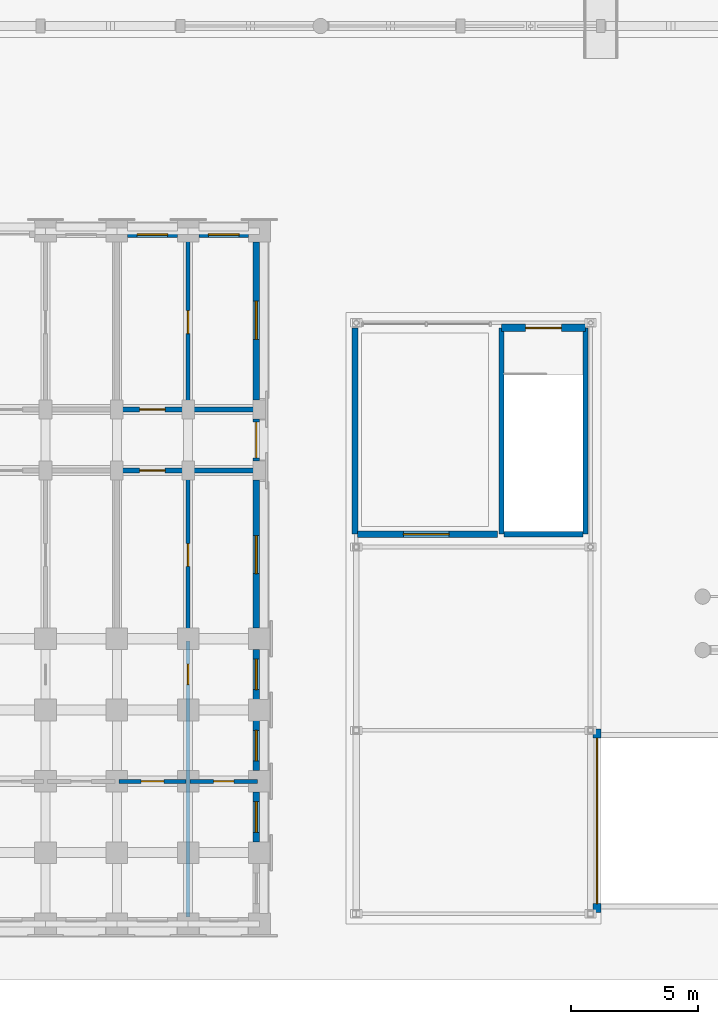
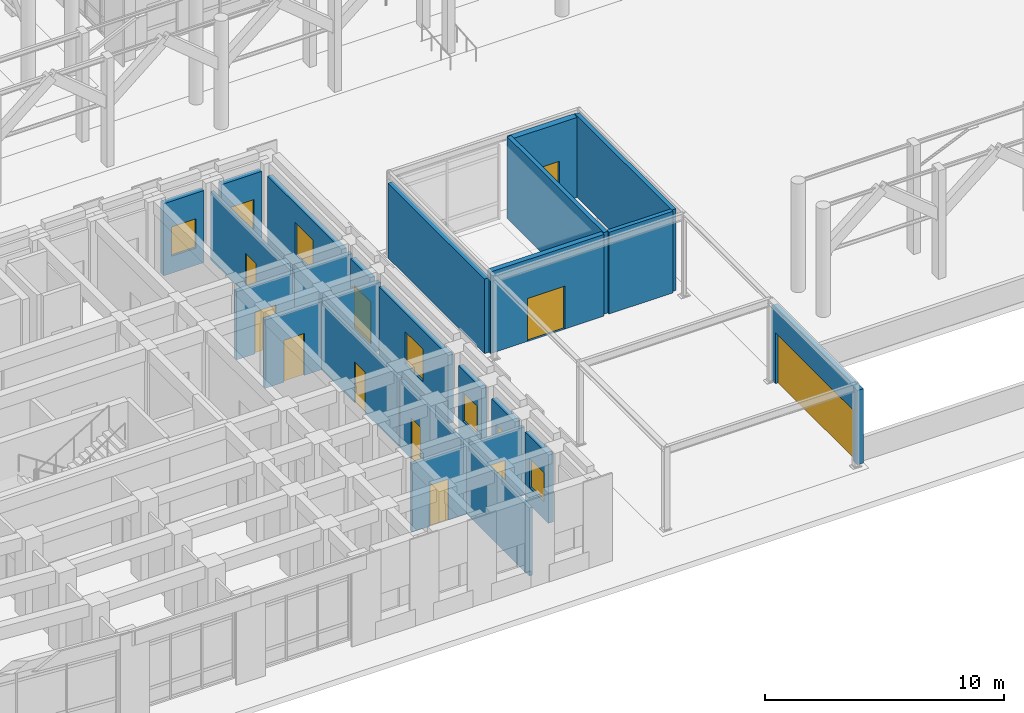
# One storey, part 94 of 135: 24 walls, 11 doors, 7 windows, 18 openings.
"""IFC4 building model written with IfcOpenShell, lengths in metres."""

from ifc_helpers import new_model, si_unit, direction, frame, frame_2d, origin, place, context, subcontext, project, spatial, rectangle, extrude, material, layer, layer_set, type_object, element, fill, save


model = new_model("IFC4")

# Units and contexts
model_context = context("Model", 3, precision=1e-05, world=origin(), true_north=direction((0.0, 1.0)))
body_context = subcontext(model_context, "Body", "Model", "MODEL_VIEW")
ifc_project = project(units=[si_unit("LENGTHUNIT", "METRE"), si_unit("AREAUNIT", "SQUARE_METRE"), si_unit("VOLUMEUNIT", "CUBIC_METRE"), si_unit("PLANEANGLEUNIT", "RADIAN"), si_unit("MASSUNIT", "GRAM", prefix="KILO")], contexts=[model_context])

# Site, building, storey
site_placement = place(None, origin())
site = spatial("IfcSite", under=ifc_project, at=site_placement, CompositionType="ELEMENT")
building_placement = place(site_placement, origin())
building = spatial("IfcBuilding", under=site, at=building_placement, Name="Kiranvali Square Residences", CompositionType="ELEMENT")
storey_placement = place(building_placement, origin())
storey = spatial("IfcBuildingStorey", under=building, at=storey_placement, Name="L00", CompositionType="ELEMENT", Elevation=0.0)

# Wall, opening, door
ifc_material_1 = material(Name="Autoclaved aerated concrete blockwork masonry", Category="masonry")
ifc_layer_1 = layer(ifc_material_1, 0.199951171875)
ifc_layer_set_1 = layer_set([ifc_layer_1], Name="Autoclaved aerated concrete blockwork masonry")
wall_type_1 = type_object("IfcWallType", Name="WL-COR-200", PredefinedType="STANDARD", material=ifc_layer_set_1)
wall_1_placement = place(storey_placement, frame((65.0, 22.39990234375, 0.0), z_axis=(0.0, 0.0, 1.0), x_axis=(1.0, 0.0, 0.0)))
wall_1 = element("IfcWall", 1, at=wall_1_placement, inside=storey, type_object=wall_type_1, Name="L00 architectural wall WL-L00-C-A1CI-2", PredefinedType="STANDARD", context=body_context, shape_type="SweptSolid", body=[
    extrude(rectangle(XDim=2.800048828125, YDim=0.199951171875, at=frame_2d((1.39990234375, 0.0))), origin(), (0.0, 0.0, 1.0), 3.491943359375),
])
opening_1_placement = place(wall_1_placement, frame((0.89990234375, 0.0, 0.0)))
opening_1 = element("IfcOpeningElement", 2, at=opening_1_placement, cuts=wall_1, Name="Opening FD-APT-60", PredefinedType="OPENING", context=body_context, shape_type="SweptSolid", body=[
    extrude(rectangle(XDim=1.0, YDim=2.14990234375, at=frame_2d((0.5, 1.074951171875))), frame((0.0, 0.10986328125, 0.0), z_axis=(0.0, -1.0, 0.0), x_axis=(1.0, 0.0, 0.0)), (0.0, 0.0, 1.0), 0.219970703125),
])
ifc_material_2 = material(Name="Fire-rated acoustic hardwood and mineral-core door assembly", Category="wood")
door_type_1 = type_object("IfcDoorType", Name="DR-APT-1000", OperationType="NOTDEFINED", PredefinedType="DOOR", material=ifc_material_2)
door_1_placement = place(opening_1_placement, frame((1.0, 0.0, 0.0), z_axis=(0.0, 0.0, 1.0), x_axis=(-1.0, 0.0, 0.0)))
door_1 = element("IfcDoor", 3, at=door_1_placement, inside=storey, type_object=door_type_1, Name="L00 door DR-L00-1752 (DR-APT-1000)", OperationType="SINGLE_SWING_RIGHT", OverallHeight=2.14990234375, OverallWidth=1.0, PredefinedType="DOOR", context=body_context, shape_type="SweptSolid", body=[
    extrude(rectangle(XDim=1.0, YDim=2.14990234375, at=frame_2d((0.5, 1.074951171875))), frame((0.0, 0.02490234375, 0.0), z_axis=(0.0, -1.0, 0.0), x_axis=(1.0, 0.0, 0.0)), (0.0, 0.0, 1.0), 0.050048828125),
])
fill(opening_1, door_1)

wall_2_placement = place(storey_placement, frame((65.0, 20.0, 0.0), z_axis=(0.0, 0.0, 1.0), x_axis=(1.0, 0.0, 0.0)))
wall_2 = element("IfcWall", 4, at=wall_2_placement, inside=storey, type_object=wall_type_1, Name="L00 architectural wall WL-L00-C-A1CO-2", PredefinedType="STANDARD", context=body_context, shape_type="SweptSolid", body=[
    extrude(rectangle(XDim=2.800048828125, YDim=0.199951171875, at=frame_2d((1.39990234375, 0.0))), origin(), (0.0, 0.0, 1.0), 3.491943359375),
])
opening_2_placement = place(wall_2_placement, frame((0.89990234375, 0.0, 0.0)))
opening_2 = element("IfcOpeningElement", 5, at=opening_2_placement, cuts=wall_2, Name="Opening FD-APT-60", PredefinedType="OPENING", context=body_context, shape_type="SweptSolid", body=[
    extrude(rectangle(XDim=1.0, YDim=2.14990234375, at=frame_2d((0.5, 1.074951171875))), frame((0.0, 0.10986328125, 0.0), z_axis=(0.0, -1.0, 0.0), x_axis=(1.0, 0.0, 0.0)), (0.0, 0.0, 1.0), 0.219970703125),
])
door_2_placement = place(opening_2_placement, frame((1.0, 0.0, 0.0), z_axis=(0.0, 0.0, 1.0), x_axis=(-1.0, 0.0, 0.0)))
door_2 = element("IfcDoor", 6, at=door_2_placement, inside=storey, type_object=door_type_1, Name="L00 door DR-L00-1754 (DR-APT-1000)", OperationType="SINGLE_SWING_RIGHT", OverallHeight=2.14990234375, OverallWidth=1.0, PredefinedType="DOOR", context=body_context, shape_type="SweptSolid", body=[
    extrude(rectangle(XDim=1.0, YDim=2.14990234375, at=frame_2d((0.5, 1.074951171875))), frame((0.0, 0.02490234375, 0.0), z_axis=(0.0, -1.0, 0.0), x_axis=(1.0, 0.0, 0.0)), (0.0, 0.0, 1.0), 0.050048828125),
])
fill(opening_2, door_2)

# Walls
for number, where, z_axis, x_axis, name in (
    (7, (67.800048828125, 22.39990234375, 0.0), (0.0, 0.0, 1.0), (1.0, 0.0, 0.0), "L00 architectural wall WL-L00-C-A1CI-3"),
    (8, (67.800048828125, 20.0, 0.0), (0.0, 0.0, 1.0), (1.0, 0.0, 0.0), "L00 architectural wall WL-L00-C-A1CO-3"),
):
    element("IfcWall", number, at=place(storey_placement, frame(where, z_axis=z_axis, x_axis=x_axis)), inside=storey, type_object=wall_type_1, Name=name, PredefinedType="STANDARD", context=body_context, shape_type="SweptSolid", body=[
        extrude(rectangle(XDim=2.800048828125, YDim=0.199951171875, at=frame_2d((1.39990234375, 0.0))), origin(), (0.0, 0.0, 1.0), 3.491943359375),
    ])
ifc_material_3 = material(Name="Breathable lime-rendered clay brick masonry", Category="masonry")
ifc_layer_2 = layer(ifc_material_3, 0.25)
ifc_layer_set_2 = layer_set([ifc_layer_2], Name="Breathable lime-rendered clay brick masonry")
wall_type_2 = type_object("IfcWallType", Name="WL-EXT-250", PredefinedType="STANDARD", material=ifc_layer_set_2)
wall_3_placement = place(storey_placement, frame((74.35009765625, 17.5, 0.0), z_axis=(0.0, 0.0, 1.0), x_axis=(0.0, 1.0, 0.0)))
element("IfcWall", 9, at=wall_3_placement, inside=storey, type_object=wall_type_2, Name="L00 architectural wall WL-L00-KSKS-W", PredefinedType="STANDARD", context=body_context, shape_type="SweptSolid", body=[
    extrude(rectangle(XDim=8.10009765625, YDim=0.25, at=frame_2d((4.050048828125, 0.0))), origin(), (0.0, 0.0, 1.0), 3.820068359375),
])

# Wall, opening, door
wall_4_placement = place(storey_placement, frame((74.449951171875, 17.5, 0.0), z_axis=(0.0, 0.0, 1.0), x_axis=(1.0, 0.0, 0.0)))
wall_4 = element("IfcWall", 10, at=wall_4_placement, inside=storey, type_object=wall_type_2, Name="L00 architectural wall WL-L00-KSKS-S", PredefinedType="STANDARD", context=body_context, shape_type="SweptSolid", body=[
    extrude(rectangle(XDim=5.5, YDim=0.25, at=frame_2d((2.75, 0.0))), origin(), (0.0, 0.0, 1.0), 4.179931640625),
])
opening_3_placement = place(wall_4_placement, frame((1.800048828125, 0.0, 0.0)))
opening_3 = element("IfcOpeningElement", 11, at=opening_3_placement, cuts=wall_4, Name="Opening ED-GLZ-180", PredefinedType="OPENING", context=body_context, shape_type="SweptSolid", body=[
    extrude(rectangle(XDim=1.800048828125, YDim=2.199951171875, at=frame_2d((0.89990234375, 1.10009765625))), frame((0.0, 0.135009765625, 0.0), z_axis=(0.0, -1.0, 0.0), x_axis=(1.0, 0.0, 0.0)), (0.0, 0.0, 1.0), 0.27001953125),
])
ifc_material_4 = material(Name="Anodised bronze aluminium framing", Category="aluminium")
door_type_2 = type_object("IfcDoorType", Name="DR-GLZ-1800", OperationType="DOUBLE_DOOR_SINGLE_SWING", PredefinedType="DOOR", material=ifc_material_4)
door_3_placement = place(opening_3_placement, origin())
door_3 = element("IfcDoor", 12, at=door_3_placement, inside=storey, type_object=door_type_2, Name="South Concierge Kiosk entrance door", OperationType="DOUBLE_DOOR_SINGLE_SWING", OverallHeight=2.199951171875, OverallWidth=1.800048828125, PredefinedType="DOOR", context=body_context, shape_type="SweptSolid", body=[
    extrude(rectangle(XDim=1.800048828125, YDim=2.199951171875, at=frame_2d((0.89990234375, 1.10009765625))), frame((0.0, 0.02490234375, 0.0), z_axis=(0.0, -1.0, 0.0), x_axis=(1.0, 0.0, 0.0)), (0.0, 0.0, 1.0), 0.050048828125),
])
fill(opening_3, door_3)

# Wall, opening, window
wall_5_placement = place(storey_placement, frame((65.419921875, 29.27490234375, 0.0), z_axis=(0.0, 0.0, 1.0), x_axis=(1.0, 0.0, 0.0)))
wall_5 = element("IfcWall", 13, at=wall_5_placement, inside=storey, type_object=wall_type_2, Name="L00 exterior wall C-L00-A1I-2", PredefinedType="STANDARD", context=body_context, shape_type="SweptSolid", body=[
    extrude(rectangle(XDim=1.9599609375, YDim=0.25, at=frame_2d((0.97998046875, 0.0))), origin(), (0.0, 0.0, 1.0), 3.69189453125),
])
opening_4_placement = place(wall_5_placement, frame((0.3798828125, 0.0, 0.8798828125)))
opening_4 = element("IfcOpeningElement", 14, at=opening_4_placement, cuts=wall_5, Name="Opening W-06", PredefinedType="OPENING", context=body_context, shape_type="SweptSolid", body=[
    extrude(rectangle(XDim=1.199951171875, YDim=1.5, at=frame_2d((0.60009765625, 0.75))), frame((0.0, 0.135009765625, 0.0), z_axis=(0.0, -1.0, 0.0), x_axis=(1.0, 0.0, 0.0)), (0.0, 0.0, 1.0), 0.27001953125),
])
ifc_material_5 = material(Name="Solar-control low-e double glazing", Category="glass")
window_type_1 = type_object("IfcWindowType", Name="WIN-RES-1200x1500", PartitioningType="SINGLE_PANEL", PredefinedType="WINDOW", material=ifc_material_5)
window_1_placement = place(opening_4_placement, origin())
window_1 = element("IfcWindow", 15, at=window_1_placement, inside=storey, type_object=window_type_1, Name="L00 recessed window C-L00-A1I-2", OverallHeight=1.5, OverallWidth=1.199951171875, PartitioningType="SINGLE_PANEL", PredefinedType="WINDOW", context=body_context, shape_type="SweptSolid", body=[
    extrude(rectangle(XDim=1.199951171875, YDim=1.5, at=frame_2d((0.60009765625, 0.75))), frame((0.0, 0.030029296875, 0.0), z_axis=(0.0, -1.0, 0.0), x_axis=(1.0, 0.0, 0.0)), (0.0, 0.0, 1.0), 0.06005859375),
])
fill(opening_4, window_1)

wall_6_placement = place(storey_placement, frame((68.219970703125, 29.27490234375, 0.0), z_axis=(0.0, 0.0, 1.0), x_axis=(1.0, 0.0, 0.0)))
wall_6 = element("IfcWall", 16, at=wall_6_placement, inside=storey, type_object=wall_type_2, Name="L00 exterior wall C-L00-A1I-3", PredefinedType="STANDARD", context=body_context, shape_type="SweptSolid", body=[
    extrude(rectangle(XDim=1.9599609375, YDim=0.25, at=frame_2d((0.97998046875, 0.0))), origin(), (0.0, 0.0, 1.0), 3.69189453125),
])
opening_5_placement = place(wall_6_placement, frame((0.3798828125, 0.0, 0.8798828125)))
opening_5 = element("IfcOpeningElement", 17, at=opening_5_placement, cuts=wall_6, Name="Opening W-06", PredefinedType="OPENING", context=body_context, shape_type="SweptSolid", body=[
    extrude(rectangle(XDim=1.199951171875, YDim=1.5, at=frame_2d((0.60009765625, 0.75))), frame((0.0, 0.135009765625, 0.0), z_axis=(0.0, -1.0, 0.0), x_axis=(1.0, 0.0, 0.0)), (0.0, 0.0, 1.0), 0.27001953125),
])
window_2_placement = place(opening_5_placement, origin())
window_2 = element("IfcWindow", 18, at=window_2_placement, inside=storey, type_object=window_type_1, Name="L00 recessed window C-L00-A1I-3", OverallHeight=1.5, OverallWidth=1.199951171875, PartitioningType="SINGLE_PANEL", PredefinedType="WINDOW", context=body_context, shape_type="SweptSolid", body=[
    extrude(rectangle(XDim=1.199951171875, YDim=1.5, at=frame_2d((0.60009765625, 0.75))), frame((0.0, 0.030029296875, 0.0), z_axis=(0.0, -1.0, 0.0), x_axis=(1.0, 0.0, 0.0)), (0.0, 0.0, 1.0), 0.06005859375),
])
fill(opening_5, window_2)

wall_7_placement = place(storey_placement, frame((70.47509765625, 28.97998046875, 0.0), z_axis=(0.0, 0.0, 1.0), x_axis=(0.0, -1.0, 0.0)))
wall_7 = element("IfcWall", 19, at=wall_7_placement, inside=storey, type_object=wall_type_2, Name="L00 exterior wall C-L00-A1END-0", PredefinedType="STANDARD", context=body_context, shape_type="SweptSolid", body=[
    extrude(rectangle(XDim=6.201416015625, YDim=0.25, at=frame_2d((3.1005859375, 0.0))), origin(), (0.0, 0.0, 1.0), 3.491943359375),
])
opening_6_placement = place(wall_7_placement, frame((2.330078125, 0.0, 0.8798828125)))
opening_6 = element("IfcOpeningElement", 20, at=opening_6_placement, cuts=wall_7, Name="Opening W-05", PredefinedType="OPENING", context=body_context, shape_type="SweptSolid", body=[
    extrude(rectangle(XDim=1.5, YDim=1.64990234375, at=frame_2d((0.75, 0.824951171875))), frame((0.0, 0.135009765625, 0.0), z_axis=(0.0, -1.0, 0.0), x_axis=(1.0, 0.0, 0.0)), (0.0, 0.0, 1.0), 0.27001953125),
])
window_type_2 = type_object("IfcWindowType", Name="WIN-RES-1500x1650", PartitioningType="DOUBLE_PANEL_VERTICAL", PredefinedType="WINDOW", material=ifc_material_5)
window_3_placement = place(opening_6_placement, origin())
window_3 = element("IfcWindow", 21, at=window_3_placement, inside=storey, type_object=window_type_2, Name="L00 recessed window C-L00-A1END-0", OverallHeight=1.64990234375, OverallWidth=1.5, PartitioningType="DOUBLE_PANEL_VERTICAL", PredefinedType="WINDOW", context=body_context, shape_type="SweptSolid", body=[
    extrude(rectangle(XDim=1.5, YDim=1.64990234375, at=frame_2d((0.75, 0.824951171875))), frame((0.0, 0.030029296875, 0.0), z_axis=(0.0, -1.0, 0.0), x_axis=(1.0, 0.0, 0.0)), (0.0, 0.0, 1.0), 0.06005859375),
])
fill(opening_6, window_3)

# Wall, opening, door
wall_8_placement = place(storey_placement, frame((70.47509765625, 22.021484375, 0.0), z_axis=(0.0, 0.0, 1.0), x_axis=(0.0, -1.0, 0.0)))
wall_8 = element("IfcWall", 22, at=wall_8_placement, inside=storey, type_object=wall_type_2, Name="L00 exterior wall C-L00-A1END-1", PredefinedType="STANDARD", context=body_context, shape_type="SweptSolid", body=[
    extrude(rectangle(XDim=1.64306640625, YDim=0.25, at=frame_2d((0.821533203125, 0.0))), origin(), (0.0, 0.0, 1.0), 3.491943359375),
])
opening_7_placement = place(wall_8_placement, frame((0.123046875, 0.0, 0.0)))
opening_7 = element("IfcOpeningElement", 23, at=opening_7_placement, cuts=wall_8, Name="Opening ED-EX-140", PredefinedType="OPENING", context=body_context, shape_type="SweptSolid", body=[
    extrude(rectangle(XDim=1.39990234375, YDim=2.14990234375, at=frame_2d((0.699951171875, 1.074951171875))), frame((0.0, 0.135009765625, 0.0), z_axis=(0.0, -1.0, 0.0), x_axis=(1.0, 0.0, 0.0)), (0.0, 0.0, 1.0), 0.27001953125),
])
door_type_3 = type_object("IfcDoorType", Name="DR-EXIT-1400", OperationType="NOTDEFINED", PredefinedType="DOOR", material=ifc_material_2)
door_4_placement = place(opening_7_placement, origin())
door_4 = element("IfcDoor", 24, at=door_4_placement, inside=storey, type_object=door_type_3, Name="Block C wing gateway final exit door", OperationType="SINGLE_SWING_RIGHT", OverallHeight=2.14990234375, OverallWidth=1.39990234375, PredefinedType="DOOR", context=body_context, shape_type="SweptSolid", body=[
    extrude(rectangle(XDim=1.39990234375, YDim=2.14990234375, at=frame_2d((0.699951171875, 1.074951171875))), frame((0.0, 0.02490234375, 0.0), z_axis=(0.0, -1.0, 0.0), x_axis=(1.0, 0.0, 0.0)), (0.0, 0.0, 1.0), 0.050048828125),
])
fill(opening_7, door_4)

# Wall, opening, window
wall_9_placement = place(storey_placement, frame((70.47509765625, 19.62158203125, 0.0), z_axis=(0.0, 0.0, 1.0), x_axis=(0.0, -1.0, 0.0)))
wall_9 = element("IfcWall", 25, at=wall_9_placement, inside=storey, type_object=wall_type_2, Name="L00 exterior wall C-L00-A1END-2", PredefinedType="STANDARD", context=body_context, shape_type="SweptSolid", body=[
    extrude(rectangle(XDim=5.801513671875, YDim=0.25, at=frame_2d((2.90087890625, 0.0))), origin(), (0.0, 0.0, 1.0), 3.491943359375),
])
opening_8_placement = place(wall_9_placement, frame((2.17138671875, 0.0, 0.8798828125)))
opening_8 = element("IfcOpeningElement", 26, at=opening_8_placement, cuts=wall_9, Name="Opening W-05", PredefinedType="OPENING", context=body_context, shape_type="SweptSolid", body=[
    extrude(rectangle(XDim=1.5, YDim=1.64990234375, at=frame_2d((0.75, 0.824951171875))), frame((0.0, 0.135009765625, 0.0), z_axis=(0.0, -1.0, 0.0), x_axis=(1.0, 0.0, 0.0)), (0.0, 0.0, 1.0), 0.27001953125),
])
window_4_placement = place(opening_8_placement, origin())
window_4 = element("IfcWindow", 27, at=window_4_placement, inside=storey, type_object=window_type_2, Name="L00 recessed window C-L00-A1END-2", OverallHeight=1.64990234375, OverallWidth=1.5, PartitioningType="DOUBLE_PANEL_VERTICAL", PredefinedType="WINDOW", context=body_context, shape_type="SweptSolid", body=[
    extrude(rectangle(XDim=1.5, YDim=1.64990234375, at=frame_2d((0.75, 0.824951171875))), frame((0.0, 0.030029296875, 0.0), z_axis=(0.0, -1.0, 0.0), x_axis=(1.0, 0.0, 0.0)), (0.0, 0.0, 1.0), 0.06005859375),
])
fill(opening_8, window_4)

wall_10_placement = place(storey_placement, frame((70.47509765625, 12.97998046875, 0.0), z_axis=(0.0, 0.0, 1.0), x_axis=(0.0, -1.0, 0.0)))
wall_10 = element("IfcWall", 28, at=wall_10_placement, inside=storey, type_object=wall_type_2, Name="L00 exterior wall C-L00-A1END-3", PredefinedType="STANDARD", context=body_context, shape_type="SweptSolid", body=[
    extrude(rectangle(XDim=1.9599609375, YDim=0.25, at=frame_2d((0.97998046875, 0.0))), origin(), (0.0, 0.0, 1.0), 3.491943359375),
])
opening_9_placement = place(wall_10_placement, frame((0.3798828125, 0.0, 0.8798828125)))
opening_9 = element("IfcOpeningElement", 29, at=opening_9_placement, cuts=wall_10, Name="Opening W-06", PredefinedType="OPENING", context=body_context, shape_type="SweptSolid", body=[
    extrude(rectangle(XDim=1.199951171875, YDim=1.5, at=frame_2d((0.60009765625, 0.75))), frame((0.0, 0.135009765625, 0.0), z_axis=(0.0, -1.0, 0.0), x_axis=(1.0, 0.0, 0.0)), (0.0, 0.0, 1.0), 0.27001953125),
])
window_5_placement = place(opening_9_placement, origin())
window_5 = element("IfcWindow", 30, at=window_5_placement, inside=storey, type_object=window_type_1, Name="L00 recessed window C-L00-A1END-3", OverallHeight=1.5, OverallWidth=1.199951171875, PartitioningType="SINGLE_PANEL", PredefinedType="WINDOW", context=body_context, shape_type="SweptSolid", body=[
    extrude(rectangle(XDim=1.199951171875, YDim=1.5, at=frame_2d((0.60009765625, 0.75))), frame((0.0, 0.030029296875, 0.0), z_axis=(0.0, -1.0, 0.0), x_axis=(1.0, 0.0, 0.0)), (0.0, 0.0, 1.0), 0.06005859375),
])
fill(opening_9, window_5)

wall_11_placement = place(storey_placement, frame((70.47509765625, 10.179931640625, 0.0), z_axis=(0.0, 0.0, 1.0), x_axis=(0.0, -1.0, 0.0)))
wall_11 = element("IfcWall", 31, at=wall_11_placement, inside=storey, type_object=wall_type_2, Name="L00 exterior wall C-L00-A1END-4", PredefinedType="STANDARD", context=body_context, shape_type="SweptSolid", body=[
    extrude(rectangle(XDim=1.9599609375, YDim=0.25, at=frame_2d((0.97998046875, 0.0))), origin(), (0.0, 0.0, 1.0), 3.491943359375),
])
opening_10_placement = place(wall_11_placement, frame((0.3798828125, 0.0, 0.8798828125)))
opening_10 = element("IfcOpeningElement", 32, at=opening_10_placement, cuts=wall_11, Name="Opening W-06", PredefinedType="OPENING", context=body_context, shape_type="SweptSolid", body=[
    extrude(rectangle(XDim=1.199951171875, YDim=1.5, at=frame_2d((0.60009765625, 0.75))), frame((0.0, 0.135009765625, 0.0), z_axis=(0.0, -1.0, 0.0), x_axis=(1.0, 0.0, 0.0)), (0.0, 0.0, 1.0), 0.27001953125),
])
window_6_placement = place(opening_10_placement, origin())
window_6 = element("IfcWindow", 33, at=window_6_placement, inside=storey, type_object=window_type_1, Name="L00 recessed window C-L00-A1END-4", OverallHeight=1.5, OverallWidth=1.199951171875, PartitioningType="SINGLE_PANEL", PredefinedType="WINDOW", context=body_context, shape_type="SweptSolid", body=[
    extrude(rectangle(XDim=1.199951171875, YDim=1.5, at=frame_2d((0.60009765625, 0.75))), frame((0.0, 0.030029296875, 0.0), z_axis=(0.0, -1.0, 0.0), x_axis=(1.0, 0.0, 0.0)), (0.0, 0.0, 1.0), 0.06005859375),
])
fill(opening_10, window_6)

wall_12_placement = place(storey_placement, frame((70.47509765625, 7.3798828125, 0.0), z_axis=(0.0, 0.0, 1.0), x_axis=(0.0, -1.0, 0.0)))
wall_12 = element("IfcWall", 34, at=wall_12_placement, inside=storey, type_object=wall_type_2, Name="L00 exterior wall C-L00-A1END-5", PredefinedType="STANDARD", context=body_context, shape_type="SweptSolid", body=[
    extrude(rectangle(XDim=1.9599609375, YDim=0.25, at=frame_2d((0.97998046875, 0.0))), origin(), (0.0, 0.0, 1.0), 3.491943359375),
])
opening_11_placement = place(wall_12_placement, frame((0.3798828125, 0.0, 0.8798828125)))
opening_11 = element("IfcOpeningElement", 35, at=opening_11_placement, cuts=wall_12, Name="Opening W-06", PredefinedType="OPENING", context=body_context, shape_type="SweptSolid", body=[
    extrude(rectangle(XDim=1.199951171875, YDim=1.5, at=frame_2d((0.60009765625, 0.75))), frame((0.0, 0.135009765625, 0.0), z_axis=(0.0, -1.0, 0.0), x_axis=(1.0, 0.0, 0.0)), (0.0, 0.0, 1.0), 0.27001953125),
])
window_7_placement = place(opening_11_placement, origin())
window_7 = element("IfcWindow", 36, at=window_7_placement, inside=storey, type_object=window_type_1, Name="L00 recessed window C-L00-A1END-5", OverallHeight=1.5, OverallWidth=1.199951171875, PartitioningType="SINGLE_PANEL", PredefinedType="WINDOW", context=body_context, shape_type="SweptSolid", body=[
    extrude(rectangle(XDim=1.199951171875, YDim=1.5, at=frame_2d((0.60009765625, 0.75))), frame((0.0, 0.030029296875, 0.0), z_axis=(0.0, -1.0, 0.0), x_axis=(1.0, 0.0, 0.0)), (0.0, 0.0, 1.0), 0.06005859375),
])
fill(opening_11, window_7)

# Wall, opening, door
ifc_material_6 = material(Name="Alternating Deccan basalt stone and terracotta brick masonry", Category="masonry")
ifc_layer_3 = layer(ifc_material_6, 0.300048828125)
ifc_layer_set_3 = layer_set([ifc_layer_3], Name="Alternating Deccan basalt stone and terracotta brick masonry")
wall_type_3 = type_object("IfcWallType", Name="WL-EXT-300", PredefinedType="STANDARD", material=ifc_layer_set_3)
wall_13_placement = place(storey_placement, frame((83.85009765625, 2.64990234375, 0.0), z_axis=(0.0, 0.0, 1.0), x_axis=(0.0, 1.0, 0.0)))
wall_13 = element("IfcWall", 37, at=wall_13_placement, inside=storey, type_object=wall_type_3, Name="Ground portal wall EW-VG1-PORTAL", PredefinedType="STANDARD", context=body_context, shape_type="SweptSolid", body=[
    extrude(rectangle(XDim=7.2001953125, YDim=0.300048828125, at=frame_2d((3.60009765625, 0.0))), origin(), (0.0, 0.0, 1.0), 3.800048828125),
])
opening_12_placement = place(wall_13_placement, frame((0.35009765625, 0.0, 0.0)))
opening_12 = element("IfcOpeningElement", 38, at=opening_12_placement, cuts=wall_13, Name="Opening VG-1", PredefinedType="OPENING", context=body_context, shape_type="SweptSolid", body=[
    extrude(rectangle(XDim=6.5, YDim=2.60009765625, at=frame_2d((3.25, 1.300048828125))), frame((0.0, 0.159912109375, 0.0), z_axis=(0.0, -1.0, 0.0), x_axis=(1.0, 0.0, 0.0)), (0.0, 0.0, 1.0), 0.320068359375),
])
ifc_material_7 = material(Name="Galvanised powder-coated steel roller shutter", Category="steel")
door_type_4 = type_object("IfcDoorType", Name="DR-VGATE-6500", OperationType="ROLLINGUP", PredefinedType="GATE", material=ifc_material_7)
door_5_placement = place(opening_12_placement, frame((6.5, 0.0, 0.0), z_axis=(0.0, 0.0, 1.0), x_axis=(-1.0, 0.0, 0.0)))
door_5 = element("IfcDoor", 39, at=door_5_placement, inside=storey, type_object=door_type_4, Name="South Boulevard Vehicle Ramp Roller Shutter Gate VG-1", OperationType="ROLLINGUP", OverallHeight=2.60009765625, OverallWidth=6.5, PredefinedType="GATE", context=body_context, shape_type="SweptSolid", body=[
    extrude(rectangle(XDim=6.5, YDim=2.60009765625, at=frame_2d((3.25, 1.300048828125))), frame((0.0, 0.02490234375, 0.0), z_axis=(0.0, -1.0, 0.0), x_axis=(1.0, 0.0, 0.0)), (0.0, 0.0, 1.0), 0.050048828125),
])
fill(opening_12, door_5)

wall_14_placement = place(storey_placement, frame((80.10009765625, 25.60009765625, 0.0), z_axis=(0.0, 0.0, 1.0), x_axis=(1.0, 0.0, 0.0)))
wall_14 = element("IfcWall", 40, at=wall_14_placement, inside=storey, type_object=wall_type_3, Name="Ground portal wall EW-PS-STP1-N", PredefinedType="STANDARD", context=body_context, shape_type="SweptSolid", body=[
    extrude(rectangle(XDim=3.2998046875, YDim=0.300048828125, at=frame_2d((1.64990234375, 0.0))), origin(), (0.0, 0.0, 1.0), 4.10009765625),
])
opening_13_placement = place(wall_14_placement, frame((0.949951171875, 0.0, 0.0)))
opening_13 = element("IfcOpeningElement", 41, at=opening_13_placement, cuts=wall_14, Name="Opening ED-EX-140", PredefinedType="OPENING", context=body_context, shape_type="SweptSolid", body=[
    extrude(rectangle(XDim=1.39990234375, YDim=2.14990234375, at=frame_2d((0.699951171875, 1.074951171875))), frame((0.0, 0.159912109375, 0.0), z_axis=(0.0, -1.0, 0.0), x_axis=(1.0, 0.0, 0.0)), (0.0, 0.0, 1.0), 0.320068359375),
])
door_6_placement = place(opening_13_placement, origin())
door_6 = element("IfcDoor", 42, at=door_6_placement, inside=storey, type_object=door_type_3, Name="Basement Stair ST-P1 ground final exit door", OperationType="SINGLE_SWING_LEFT", OverallHeight=2.14990234375, OverallWidth=1.39990234375, PredefinedType="DOOR", context=body_context, shape_type="SweptSolid", body=[
    extrude(rectangle(XDim=1.39990234375, YDim=2.14990234375, at=frame_2d((0.699951171875, 1.074951171875))), frame((0.0, 0.02490234375, 0.0), z_axis=(0.0, -1.0, 0.0), x_axis=(1.0, 0.0, 0.0)), (0.0, 0.0, 1.0), 0.050048828125),
])
fill(opening_13, door_6)

ifc_material_8 = material(Name="Acoustic gypsum board drylined partition", Category="gypsum")
ifc_layer_4 = layer(ifc_material_8, 0.14990234375)
ifc_layer_set_4 = layer_set([ifc_layer_4], Name="Acoustic gypsum board drylined partition")
wall_type_4 = type_object("IfcWallType", Name="WL-PRT-150", PredefinedType="PARTITIONING", material=ifc_layer_set_4)
wall_15_placement = place(storey_placement, frame((67.800048828125, 29.199951171875, 0.0), z_axis=(0.0, 0.0, 1.0), x_axis=(0.0, -1.0, 0.0)))
wall_15 = element("IfcWall", 43, at=wall_15_placement, inside=storey, type_object=wall_type_4, Name="L00 architectural wall WL-L00-C-A1TI-3", PredefinedType="PARTITIONING", context=body_context, shape_type="SweptSolid", body=[
    extrude(rectangle(XDim=6.75, YDim=0.14990234375, at=frame_2d((3.375, 0.0))), origin(), (0.0, 0.0, 1.0), 3.491943359375),
])
opening_14_placement = place(wall_15_placement, frame((2.925048828125, 0.0, 0.0)))
opening_14 = element("IfcOpeningElement", 44, at=opening_14_placement, cuts=wall_15, Name="Opening ID-1", PredefinedType="OPENING", context=body_context, shape_type="SweptSolid", body=[
    extrude(rectangle(XDim=0.89990234375, YDim=2.10009765625, at=frame_2d((0.449951171875, 1.050048828125))), frame((0.0, 0.0849609375, 0.0), z_axis=(0.0, -1.0, 0.0), x_axis=(1.0, 0.0, 0.0)), (0.0, 0.0, 1.0), 0.169921875),
])
ifc_material_9 = material(Name="Solid seasoned teak hardwood joinery", Category="wood")
door_type_5 = type_object("IfcDoorType", Name="DR-INT-900", OperationType="NOTDEFINED", PredefinedType="DOOR", material=ifc_material_9)
door_7_placement = place(opening_14_placement, frame((0.89990234375, 0.0, 0.0), z_axis=(0.0, 0.0, 1.0), x_axis=(-1.0, 0.0, 0.0)))
door_7 = element("IfcDoor", 45, at=door_7_placement, inside=storey, type_object=door_type_5, Name="L00 door DR-L00-1760 (DR-INT-900)", OperationType="SINGLE_SWING_RIGHT", OverallHeight=2.10009765625, OverallWidth=0.89990234375, PredefinedType="DOOR", context=body_context, shape_type="SweptSolid", body=[
    extrude(rectangle(XDim=0.89990234375, YDim=2.10009765625, at=frame_2d((0.449951171875, 1.050048828125))), frame((0.0, 0.02490234375, 0.0), z_axis=(0.0, -1.0, 0.0), x_axis=(1.0, 0.0, 0.0)), (0.0, 0.0, 1.0), 0.050048828125),
])
fill(opening_14, door_7)

wall_16_placement = place(storey_placement, frame((67.800048828125, 19.949951171875, 0.0), z_axis=(0.0, 0.0, 1.0), x_axis=(0.0, -1.0, 0.0)))
wall_16 = element("IfcWall", 46, at=wall_16_placement, inside=storey, type_object=wall_type_4, Name="L00 architectural wall WL-L00-C-A1TO1-3", PredefinedType="PARTITIONING", context=body_context, shape_type="SweptSolid", body=[
    extrude(rectangle(XDim=6.530029296875, YDim=0.14990234375, at=frame_2d((3.26513671875, 0.0))), origin(), (0.0, 0.0, 1.0), 3.491943359375),
])
opening_15_placement = place(wall_16_placement, frame((2.81494140625, 0.0, 0.0)))
opening_15 = element("IfcOpeningElement", 47, at=opening_15_placement, cuts=wall_16, Name="Opening ID-1", PredefinedType="OPENING", context=body_context, shape_type="SweptSolid", body=[
    extrude(rectangle(XDim=0.89990234375, YDim=2.10009765625, at=frame_2d((0.449951171875, 1.050048828125))), frame((0.0, 0.0849609375, 0.0), z_axis=(0.0, -1.0, 0.0), x_axis=(1.0, 0.0, 0.0)), (0.0, 0.0, 1.0), 0.169921875),
])
door_8_placement = place(opening_15_placement, origin())
door_8 = element("IfcDoor", 48, at=door_8_placement, inside=storey, type_object=door_type_5, Name="L00 door DR-L00-1761 (DR-INT-900)", OperationType="SINGLE_SWING_LEFT", OverallHeight=2.10009765625, OverallWidth=0.89990234375, PredefinedType="DOOR", context=body_context, shape_type="SweptSolid", body=[
    extrude(rectangle(XDim=0.89990234375, YDim=2.10009765625, at=frame_2d((0.449951171875, 1.050048828125))), frame((0.0, 0.02490234375, 0.0), z_axis=(0.0, -1.0, 0.0), x_axis=(1.0, 0.0, 0.0)), (0.0, 0.0, 1.0), 0.050048828125),
])
fill(opening_15, door_8)

wall_17_placement = place(storey_placement, frame((67.800048828125, 13.300048828125, 0.0), z_axis=(0.0, 0.0, 1.0), x_axis=(0.0, -1.0, 0.0)))
wall_17 = element("IfcWall", 49, at=wall_17_placement, inside=storey, type_object=wall_type_4, Name="L00 architectural wall WL-L00-C-A1TO2-3", PredefinedType="PARTITIONING", context=body_context, shape_type="SweptSolid", body=[
    extrude(rectangle(XDim=10.820068359375, YDim=0.14990234375, at=frame_2d((5.41015625, 0.0))), origin(), (0.0, 0.0, 1.0), 3.491943359375),
])
opening_16_placement = place(wall_17_placement, frame((0.8994140625, 0.0, 0.0)))
opening_16 = element("IfcOpeningElement", 50, at=opening_16_placement, cuts=wall_17, Name="Opening ID-WET", PredefinedType="OPENING", context=body_context, shape_type="SweptSolid", body=[
    extrude(rectangle(XDim=0.800048828125, YDim=2.10009765625, at=frame_2d((0.39990234375, 1.050048828125))), frame((0.0, 0.0849609375, 0.0), z_axis=(0.0, -1.0, 0.0), x_axis=(1.0, 0.0, 0.0)), (0.0, 0.0, 1.0), 0.169921875),
])
door_type_6 = type_object("IfcDoorType", Name="DR-WET-800", OperationType="NOTDEFINED", PredefinedType="DOOR", material=ifc_material_9)
door_9_placement = place(opening_16_placement, frame((0.800048828125, 0.0, 0.0), z_axis=(0.0, 0.0, 1.0), x_axis=(-1.0, 0.0, 0.0)))
door_9 = element("IfcDoor", 51, at=door_9_placement, inside=storey, type_object=door_type_6, Name="L00 door DR-L00-1762 (DR-WET-800)", OperationType="SINGLE_SWING_RIGHT", OverallHeight=2.10009765625, OverallWidth=0.800048828125, PredefinedType="DOOR", context=body_context, shape_type="SweptSolid", body=[
    extrude(rectangle(XDim=0.800048828125, YDim=2.10009765625, at=frame_2d((0.39990234375, 1.050048828125))), frame((0.0, 0.02490234375, 0.0), z_axis=(0.0, -1.0, 0.0), x_axis=(1.0, 0.0, 0.0)), (0.0, 0.0, 1.0), 0.050048828125),
])
fill(opening_16, door_9)

# Walls
ifc_layer_5 = layer(ifc_material_1, 0.199951171875)
ifc_layer_set_5 = layer_set([ifc_layer_5], Name="Autoclaved aerated concrete blockwork masonry")
wall_type_5 = type_object("IfcWallType", Name="WL-SHF-200", PredefinedType="STANDARD", material=ifc_layer_set_5)
for number, where, z_axis, x_axis, name in (
    (52, (80.10009765625, 17.5, 0.0), (0.0, 0.0, 1.0), (0.0, 1.0, 0.0), "L00 architectural wall WL-L00-STP1-W"),
    (53, (83.39990234375, 17.5, 0.0), (0.0, 0.0, 1.0), (0.0, 1.0, 0.0), "L00 architectural wall WL-L00-STP1-E"),
):
    element("IfcWall", number, at=place(storey_placement, frame(where, z_axis=z_axis, x_axis=x_axis)), inside=storey, type_object=wall_type_5, Name=name, PredefinedType="STANDARD", context=body_context, shape_type="SweptSolid", body=[
        extrude(rectangle(XDim=8.10009765625, YDim=0.199951171875, at=frame_2d((4.050048828125, 0.0))), origin(), (0.0, 0.0, 1.0), 4.179931640625),
    ])
wall_18_placement = place(storey_placement, frame((80.199951171875, 17.5, 0.0), z_axis=(0.0, 0.0, 1.0), x_axis=(1.0, 0.0, 0.0)))
element("IfcWall", 54, at=wall_18_placement, inside=storey, type_object=wall_type_5, Name="L00 architectural wall WL-L00-STP1-S", PredefinedType="STANDARD", context=body_context, shape_type="SweptSolid", body=[
    extrude(rectangle(XDim=3.10009765625, YDim=0.199951171875, at=frame_2d((1.550048828125, 0.0))), origin(), (0.0, 0.0, 1.0), 4.179931640625),
])

# Wall, opening, door
ifc_layer_6 = layer(ifc_material_1, 0.159912109375)
ifc_layer_set_6 = layer_set([ifc_layer_6], Name="Autoclaved aerated concrete blockwork masonry")
wall_type_6 = type_object("IfcWallType", Name="WL-WET-160", PredefinedType="PLUMBINGWALL", material=ifc_layer_set_6)
wall_19_placement = place(storey_placement, frame((65.080078125, 7.800048828125, 0.0), z_axis=(0.0, 0.0, 1.0), x_axis=(1.0, 0.0, 0.0)))
wall_19 = element("IfcWall", 55, at=wall_19_placement, inside=storey, type_object=wall_type_6, Name="L00 architectural wall WL-L00-C-A1SP-2", PredefinedType="PLUMBINGWALL", context=body_context, shape_type="SweptSolid", body=[
    extrude(rectangle(XDim=2.639892578125, YDim=0.159912109375, at=frame_2d((1.31982421875, 0.0))), origin(), (0.0, 0.0, 1.0), 3.491943359375),
])
opening_17_placement = place(wall_19_placement, frame((0.8701171875, 0.0, 0.0)))
opening_17 = element("IfcOpeningElement", 56, at=opening_17_placement, cuts=wall_19, Name="Opening ID-1", PredefinedType="OPENING", context=body_context, shape_type="SweptSolid", body=[
    extrude(rectangle(XDim=0.89990234375, YDim=2.10009765625, at=frame_2d((0.449951171875, 1.050048828125))), frame((0.0, 0.08984375, 0.0), z_axis=(0.0, -1.0, 0.0), x_axis=(1.0, 0.0, 0.0)), (0.0, 0.0, 1.0), 0.179931640625),
])
door_10_placement = place(opening_17_placement, origin())
door_10 = element("IfcDoor", 57, at=door_10_placement, inside=storey, type_object=door_type_5, Name="L00 door DR-L00-1753 (DR-INT-900)", OperationType="SINGLE_SWING_LEFT", OverallHeight=2.10009765625, OverallWidth=0.89990234375, PredefinedType="DOOR", context=body_context, shape_type="SweptSolid", body=[
    extrude(rectangle(XDim=0.89990234375, YDim=2.10009765625, at=frame_2d((0.449951171875, 1.050048828125))), frame((0.0, 0.02490234375, 0.0), z_axis=(0.0, -1.0, 0.0), x_axis=(1.0, 0.0, 0.0)), (0.0, 0.0, 1.0), 0.050048828125),
])
fill(opening_17, door_10)

wall_20_placement = place(storey_placement, frame((67.8798828125, 7.800048828125, 0.0), z_axis=(0.0, 0.0, 1.0), x_axis=(1.0, 0.0, 0.0)))
wall_20 = element("IfcWall", 58, at=wall_20_placement, inside=storey, type_object=wall_type_6, Name="L00 architectural wall WL-L00-C-A1SP-3", PredefinedType="PLUMBINGWALL", context=body_context, shape_type="SweptSolid", body=[
    extrude(rectangle(XDim=2.64013671875, YDim=0.159912109375, at=frame_2d((1.320068359375, 0.0))), origin(), (0.0, 0.0, 1.0), 3.491943359375),
])
opening_18_placement = place(wall_20_placement, frame((0.919921875, 0.0, 0.0)))
opening_18 = element("IfcOpeningElement", 59, at=opening_18_placement, cuts=wall_20, Name="Opening ID-WET", PredefinedType="OPENING", context=body_context, shape_type="SweptSolid", body=[
    extrude(rectangle(XDim=0.800048828125, YDim=2.10009765625, at=frame_2d((0.39990234375, 1.050048828125))), frame((0.0, 0.08984375, 0.0), z_axis=(0.0, -1.0, 0.0), x_axis=(1.0, 0.0, 0.0)), (0.0, 0.0, 1.0), 0.179931640625),
])
door_11_placement = place(opening_18_placement, origin())
door_11 = element("IfcDoor", 60, at=door_11_placement, inside=storey, type_object=door_type_6, Name="L00 door DR-L00-1755 (DR-WET-800)", OperationType="SINGLE_SWING_LEFT", OverallHeight=2.10009765625, OverallWidth=0.800048828125, PredefinedType="DOOR", context=body_context, shape_type="SweptSolid", body=[
    extrude(rectangle(XDim=0.800048828125, YDim=2.10009765625, at=frame_2d((0.39990234375, 1.050048828125))), frame((0.0, 0.02490234375, 0.0), z_axis=(0.0, -1.0, 0.0), x_axis=(1.0, 0.0, 0.0)), (0.0, 0.0, 1.0), 0.050048828125),
])
fill(opening_18, door_11)

save(model, "model.ifc")
